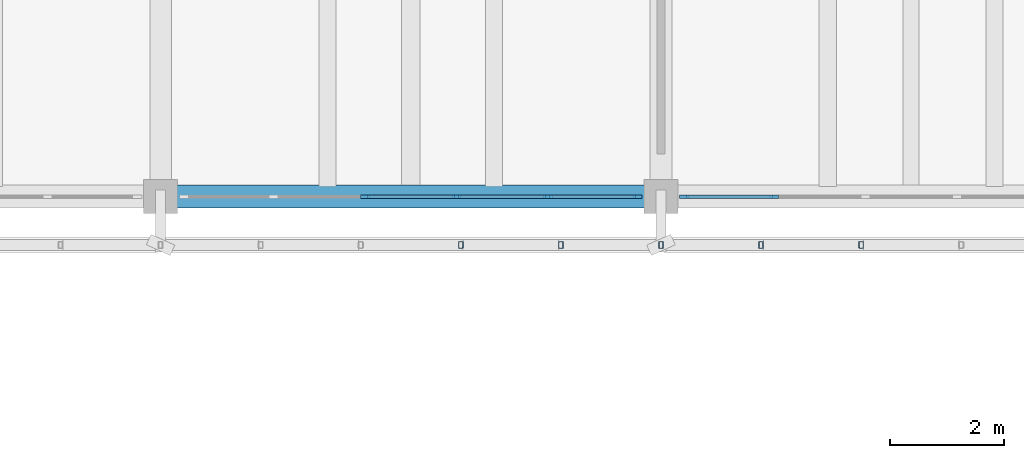
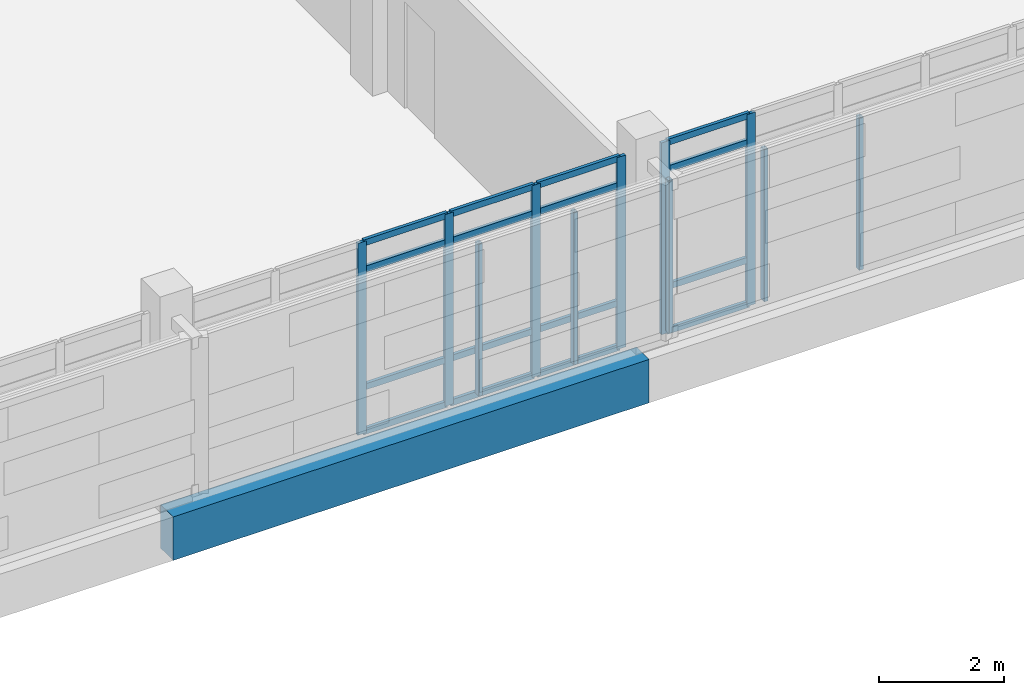
# One storey, part 56 of 137: 27 members, 1 beam, 2 elements without a shape of their own.
"""IFC4 building model written with IfcOpenShell, lengths in metres."""

from ifc_helpers import new_model, si_unit, direction, frame, origin, origin_2d, place, context, subcontext, project, spatial, rectangle, hollow_rectangle, extrude, material, material_profile, profile_set, type_object, element, aggregate, save


model = new_model("IFC4")

# Units and contexts
model_context = context("Model", 3, precision=1e-05, world=origin(), true_north=direction((0.0, 1.0)))
body_context = subcontext(model_context, "Body", "Model", "MODEL_VIEW")
ifc_project = project(units=[si_unit("LENGTHUNIT", "METRE"), si_unit("AREAUNIT", "SQUARE_METRE"), si_unit("VOLUMEUNIT", "CUBIC_METRE"), si_unit("PLANEANGLEUNIT", "RADIAN"), si_unit("MASSUNIT", "GRAM", prefix="KILO")], contexts=[model_context])

# Site, building, storey
site_placement = place(None, origin())
site = spatial("IfcSite", under=ifc_project, at=site_placement, CompositionType="ELEMENT")
building_placement = place(site_placement, origin())
building = spatial("IfcBuilding", under=site, at=building_placement, Name="Cinderway Yard Community Centre", CompositionType="ELEMENT")
storey_placement = place(building_placement, frame((0.0, 0.0, 4.800048828125)))
storey = spatial("IfcBuildingStorey", under=building, at=storey_placement, Name="L01", CompositionType="ELEMENT", Elevation=4.800048828125)

# Curtain wall, members
ifc_material_1 = material(Name="Aluminium 6063-T6", Category="aluminium")
curtain_wall_type = type_object("IfcCurtainWallType", Name="ENV-CW-TYPE-27", PredefinedType="USERDEFINED", material=ifc_material_1)
curtain_wall_1_placement = place(storey_placement, origin())
curtain_wall_1 = element("IfcCurtainWall", 1, at=curtain_wall_1_placement, inside=storey, type_object=curtain_wall_type, Name="V4 Courtyard Curtain Wall ENV-CW-L01-ST-0130", ObjectType="GLAZED CURTAIN WALL", PredefinedType="USERDEFINED")
ifc_material_profile_1 = material_profile(ifc_material_1, rectangle(XDim=0.06005859375, YDim=0.159912109375, at=origin_2d()), Name="Aluminium 6063-T6")
ifc_profile_set_1 = profile_set([ifc_material_profile_1], Name="Aluminium 6063-T6")
member_type_1 = type_object("IfcMemberType", Name="ENV-CW-MULL-150", PredefinedType="MULLION", material=ifc_profile_set_1)
member_1_placement = place(storey_placement, frame((87.595947265625, 90.0, 0.0), z_axis=(0.0, 0.0, 1.0), x_axis=(0.0, 1.0, 0.0)))
member_1 = element("IfcMember", 2, at=member_1_placement, type_object=member_type_1, Name="CW-27 mullion 3", PredefinedType="MULLION", context=body_context, shape_type="SweptSolid", body=[
    extrude(rectangle(XDim=0.06005859375, YDim=0.159912109375, at=origin_2d()), origin(), (0.0, 0.0, 1.0), 3.75),
])
member_2_placement = place(storey_placement, frame((89.2041015625, 90.0, 0.0), z_axis=(0.0, 0.0, 1.0), x_axis=(0.0, 1.0, 0.0)))
member_2 = element("IfcMember", 3, at=member_2_placement, type_object=member_type_1, Name="CW-27 mullion 4", PredefinedType="MULLION", context=body_context, shape_type="SweptSolid", body=[
    extrude(rectangle(XDim=0.06005859375, YDim=0.159912109375, at=origin_2d()), origin(), (0.0, 0.0, 1.0), 3.75),
])
member_3_placement = place(storey_placement, frame((90.81201171875, 90.0, 0.0), z_axis=(0.0, 0.0, 1.0), x_axis=(0.0, 1.0, 0.0)))
member_3 = element("IfcMember", 4, at=member_3_placement, type_object=member_type_1, Name="CW-27 mullion 5", PredefinedType="MULLION", context=body_context, shape_type="SweptSolid", body=[
    extrude(rectangle(XDim=0.06005859375, YDim=0.159912109375, at=origin_2d()), origin(), (0.0, 0.0, 1.0), 3.75),
])
member_4_placement = place(storey_placement, frame((92.389892578125, 90.0, 0.0), z_axis=(0.0, 0.0, 1.0), x_axis=(0.0, 1.0, 0.0)))
member_4 = element("IfcMember", 5, at=member_4_placement, type_object=member_type_1, Name="CW-27 mullion 6", PredefinedType="MULLION", context=body_context, shape_type="SweptSolid", body=[
    extrude(rectangle(XDim=0.06005859375, YDim=0.159912109375, at=origin_2d()), origin(), (0.0, 0.0, 1.0), 3.75),
])

curtain_wall_2_placement = place(storey_placement, origin())
curtain_wall_2 = element("IfcCurtainWall", 6, at=curtain_wall_2_placement, inside=storey, type_object=curtain_wall_type, Name="V4 Courtyard Curtain Wall ENV-CW-L01-ST-0131", ObjectType="GLAZED CURTAIN WALL", PredefinedType="USERDEFINED")
member_5_placement = place(storey_placement, frame((93.2099609375, 90.0, 0.0), z_axis=(0.0, 0.0, 1.0), x_axis=(0.0, 1.0, 0.0)))
member_5 = element("IfcMember", 7, at=member_5_placement, type_object=member_type_1, Name="CW-27 mullion 1", PredefinedType="MULLION", context=body_context, shape_type="SweptSolid", body=[
    extrude(rectangle(XDim=0.06005859375, YDim=0.159912109375, at=origin_2d()), origin(), (0.0, 0.0, 1.0), 3.75),
])
member_6_placement = place(storey_placement, frame((94.7880859375, 90.0, 0.0), z_axis=(0.0, 0.0, 1.0), x_axis=(0.0, 1.0, 0.0)))
member_6 = element("IfcMember", 8, at=member_6_placement, type_object=member_type_1, Name="CW-27 mullion 2", PredefinedType="MULLION", context=body_context, shape_type="SweptSolid", body=[
    extrude(rectangle(XDim=0.06005859375, YDim=0.159912109375, at=origin_2d()), origin(), (0.0, 0.0, 1.0), 3.75),
])

# Member
ifc_material_profile_2 = material_profile(ifc_material_1, rectangle(XDim=0.06005859375, YDim=0.1201171875, at=origin_2d()), Name="Aluminium 6063-T6")
ifc_profile_set_2 = profile_set([ifc_material_profile_2], Name="Aluminium 6063-T6")
member_type_2 = type_object("IfcMemberType", Name="ENV-CW-TRAN-110", PredefinedType="USERDEFINED", material=ifc_profile_set_2)
member_7_placement = place(storey_placement, frame((87.6259765625, 90.0, 0.030029296875), z_axis=(1.0, 0.0, 0.0), x_axis=(0.0, 1.0, 0.0)))
member_7 = element("IfcMember", 9, at=member_7_placement, type_object=member_type_2, Name="CW-27 transom 3.1", ObjectType="TRANSOM", PredefinedType="USERDEFINED", context=body_context, shape_type="SweptSolid", body=[
    extrude(rectangle(XDim=0.06005859375, YDim=0.1201171875, at=origin_2d()), origin(), (0.0, 0.0, 1.0), 1.548095703125),
])

member_8_placement = place(storey_placement, frame((87.6259765625, 90.0, 0.89990234375), z_axis=(1.0, 0.0, 0.0), x_axis=(0.0, 1.0, 0.0)))
member_8 = element("IfcMember", 10, at=member_8_placement, type_object=member_type_2, Name="CW-27 transom 3.2", ObjectType="TRANSOM", PredefinedType="USERDEFINED", context=body_context, shape_type="SweptSolid", body=[
    extrude(rectangle(XDim=0.06005859375, YDim=0.1201171875, at=origin_2d()), origin(), (0.0, 0.0, 1.0), 1.548095703125),
])

member_9_placement = place(storey_placement, frame((87.6259765625, 90.0, 3.199951171875), z_axis=(1.0, 0.0, 0.0), x_axis=(0.0, 1.0, 0.0)))
member_9 = element("IfcMember", 11, at=member_9_placement, type_object=member_type_2, Name="CW-27 transom 3.3", ObjectType="TRANSOM", PredefinedType="USERDEFINED", context=body_context, shape_type="SweptSolid", body=[
    extrude(rectangle(XDim=0.06005859375, YDim=0.1201171875, at=origin_2d()), origin(), (0.0, 0.0, 1.0), 1.548095703125),
])

member_10_placement = place(storey_placement, frame((87.6259765625, 90.0, 3.719970703125), z_axis=(1.0, 0.0, 0.0), x_axis=(0.0, 1.0, 0.0)))
member_10 = element("IfcMember", 12, at=member_10_placement, type_object=member_type_2, Name="CW-27 transom 3.4", ObjectType="TRANSOM", PredefinedType="USERDEFINED", context=body_context, shape_type="SweptSolid", body=[
    extrude(rectangle(XDim=0.06005859375, YDim=0.1201171875, at=origin_2d()), origin(), (0.0, 0.0, 1.0), 1.548095703125),
])

member_11_placement = place(storey_placement, frame((89.23388671875, 90.0, 0.030029296875), z_axis=(1.0, 0.0, 0.0), x_axis=(0.0, 1.0, 0.0)))
member_11 = element("IfcMember", 13, at=member_11_placement, type_object=member_type_2, Name="CW-27 transom 4.1", ObjectType="TRANSOM", PredefinedType="USERDEFINED", context=body_context, shape_type="SweptSolid", body=[
    extrude(rectangle(XDim=0.06005859375, YDim=0.1201171875, at=origin_2d()), origin(), (0.0, 0.0, 1.0), 1.548095703125),
])

member_12_placement = place(storey_placement, frame((89.23388671875, 90.0, 0.89990234375), z_axis=(1.0, 0.0, 0.0), x_axis=(0.0, 1.0, 0.0)))
member_12 = element("IfcMember", 14, at=member_12_placement, type_object=member_type_2, Name="CW-27 transom 4.2", ObjectType="TRANSOM", PredefinedType="USERDEFINED", context=body_context, shape_type="SweptSolid", body=[
    extrude(rectangle(XDim=0.06005859375, YDim=0.1201171875, at=origin_2d()), origin(), (0.0, 0.0, 1.0), 1.548095703125),
])

member_13_placement = place(storey_placement, frame((89.23388671875, 90.0, 3.199951171875), z_axis=(1.0, 0.0, 0.0), x_axis=(0.0, 1.0, 0.0)))
member_13 = element("IfcMember", 15, at=member_13_placement, type_object=member_type_2, Name="CW-27 transom 4.3", ObjectType="TRANSOM", PredefinedType="USERDEFINED", context=body_context, shape_type="SweptSolid", body=[
    extrude(rectangle(XDim=0.06005859375, YDim=0.1201171875, at=origin_2d()), origin(), (0.0, 0.0, 1.0), 1.548095703125),
])

member_14_placement = place(storey_placement, frame((89.23388671875, 90.0, 3.719970703125), z_axis=(1.0, 0.0, 0.0), x_axis=(0.0, 1.0, 0.0)))
member_14 = element("IfcMember", 16, at=member_14_placement, type_object=member_type_2, Name="CW-27 transom 4.4", ObjectType="TRANSOM", PredefinedType="USERDEFINED", context=body_context, shape_type="SweptSolid", body=[
    extrude(rectangle(XDim=0.06005859375, YDim=0.1201171875, at=origin_2d()), origin(), (0.0, 0.0, 1.0), 1.548095703125),
])

member_15_placement = place(storey_placement, frame((90.842041015625, 90.0, 0.030029296875), z_axis=(1.0, 0.0, 0.0), x_axis=(0.0, 1.0, 0.0)))
member_15 = element("IfcMember", 17, at=member_15_placement, type_object=member_type_2, Name="CW-27 transom 5.1", ObjectType="TRANSOM", PredefinedType="USERDEFINED", context=body_context, shape_type="SweptSolid", body=[
    extrude(rectangle(XDim=0.06005859375, YDim=0.1201171875, at=origin_2d()), origin(), (0.0, 0.0, 1.0), 1.51806640625),
])

member_16_placement = place(storey_placement, frame((90.842041015625, 90.0, 0.89990234375), z_axis=(1.0, 0.0, 0.0), x_axis=(0.0, 1.0, 0.0)))
member_16 = element("IfcMember", 18, at=member_16_placement, type_object=member_type_2, Name="CW-27 transom 5.2", ObjectType="TRANSOM", PredefinedType="USERDEFINED", context=body_context, shape_type="SweptSolid", body=[
    extrude(rectangle(XDim=0.06005859375, YDim=0.1201171875, at=origin_2d()), origin(), (0.0, 0.0, 1.0), 1.51806640625),
])

member_17_placement = place(storey_placement, frame((90.842041015625, 90.0, 3.199951171875), z_axis=(1.0, 0.0, 0.0), x_axis=(0.0, 1.0, 0.0)))
member_17 = element("IfcMember", 19, at=member_17_placement, type_object=member_type_2, Name="CW-27 transom 5.3", ObjectType="TRANSOM", PredefinedType="USERDEFINED", context=body_context, shape_type="SweptSolid", body=[
    extrude(rectangle(XDim=0.06005859375, YDim=0.1201171875, at=origin_2d()), origin(), (0.0, 0.0, 1.0), 1.51806640625),
])

member_18_placement = place(storey_placement, frame((90.842041015625, 90.0, 3.719970703125), z_axis=(1.0, 0.0, 0.0), x_axis=(0.0, 1.0, 0.0)))
member_18 = element("IfcMember", 20, at=member_18_placement, type_object=member_type_2, Name="CW-27 transom 5.4", ObjectType="TRANSOM", PredefinedType="USERDEFINED", context=body_context, shape_type="SweptSolid", body=[
    extrude(rectangle(XDim=0.06005859375, YDim=0.1201171875, at=origin_2d()), origin(), (0.0, 0.0, 1.0), 1.51806640625),
])

aggregate(curtain_wall_1, [member_1, member_2, member_3, member_4, member_7, member_8, member_9, member_10, member_11, member_12, member_13, member_14, member_15, member_16, member_17, member_18])

member_19_placement = place(storey_placement, frame((93.239990234375, 90.0, 0.030029296875), z_axis=(1.0, 0.0, 0.0), x_axis=(0.0, 1.0, 0.0)))
member_19 = element("IfcMember", 21, at=member_19_placement, type_object=member_type_2, Name="CW-27 transom 1.1", ObjectType="TRANSOM", PredefinedType="USERDEFINED", context=body_context, shape_type="SweptSolid", body=[
    extrude(rectangle(XDim=0.06005859375, YDim=0.1201171875, at=origin_2d()), origin(), (0.0, 0.0, 1.0), 1.51806640625),
])

member_20_placement = place(storey_placement, frame((93.239990234375, 90.0, 0.89990234375), z_axis=(1.0, 0.0, 0.0), x_axis=(0.0, 1.0, 0.0)))
member_20 = element("IfcMember", 22, at=member_20_placement, type_object=member_type_2, Name="CW-27 transom 1.2", ObjectType="TRANSOM", PredefinedType="USERDEFINED", context=body_context, shape_type="SweptSolid", body=[
    extrude(rectangle(XDim=0.06005859375, YDim=0.1201171875, at=origin_2d()), origin(), (0.0, 0.0, 1.0), 1.51806640625),
])

member_21_placement = place(storey_placement, frame((93.239990234375, 90.0, 3.199951171875), z_axis=(1.0, 0.0, 0.0), x_axis=(0.0, 1.0, 0.0)))
member_21 = element("IfcMember", 23, at=member_21_placement, type_object=member_type_2, Name="CW-27 transom 1.3", ObjectType="TRANSOM", PredefinedType="USERDEFINED", context=body_context, shape_type="SweptSolid", body=[
    extrude(rectangle(XDim=0.06005859375, YDim=0.1201171875, at=origin_2d()), origin(), (0.0, 0.0, 1.0), 1.51806640625),
])

member_22_placement = place(storey_placement, frame((93.239990234375, 90.0, 3.719970703125), z_axis=(1.0, 0.0, 0.0), x_axis=(0.0, 1.0, 0.0)))
member_22 = element("IfcMember", 24, at=member_22_placement, type_object=member_type_2, Name="CW-27 transom 1.4", ObjectType="TRANSOM", PredefinedType="USERDEFINED", context=body_context, shape_type="SweptSolid", body=[
    extrude(rectangle(XDim=0.06005859375, YDim=0.1201171875, at=origin_2d()), origin(), (0.0, 0.0, 1.0), 1.51806640625),
])

aggregate(curtain_wall_2, [member_5, member_6, member_19, member_20, member_21, member_22])

# Members
ifc_material_2 = material(Name="Steel S355", Category="steel")
ifc_material_profile_3 = material_profile(ifc_material_2, hollow_rectangle(XDim=0.080078125, YDim=0.1201171875, WallThickness=0.00634765625, InnerFilletRadius=0.00634765625, OuterFilletRadius=0.0126953125, at=origin_2d()), Name="Steel S355")
ifc_profile_set_3 = profile_set([ifc_material_profile_3], Name="Steel S355")
member_type_3 = type_object("IfcMemberType", Name="ENV-MEM-SCREEN-RAIL-120", PredefinedType="STRINGER", material=ifc_profile_set_3)
for number, where, z_axis, x_axis, name in (
    (25, (89.280029296875, 89.14990234375, 0.68994140625), (0.0, 0.0, 1.0), (1.0, 0.0, 0.0), "Screen vertical mullion 0362"),
    (26, (91.0400390625, 89.14990234375, 0.68994140625), (0.0, 0.0, 1.0), (1.0, 0.0, 0.0), "Screen vertical mullion 0363"),
    (27, (92.800048828125, 89.14990234375, 0.68994140625), (0.0, 0.0, 1.0), (1.0, 0.0, 0.0), "Screen vertical mullion 0364"),
    (28, (94.56005859375, 89.14990234375, 0.68994140625), (0.0, 0.0, 1.0), (1.0, 0.0, 0.0), "Screen vertical mullion 0368"),
    (29, (96.320068359375, 89.14990234375, 0.68994140625), (0.0, 0.0, 1.0), (1.0, 0.0, 0.0), "Screen vertical mullion 0369"),
):
    element("IfcMember", number, at=place(storey_placement, frame(where, z_axis=z_axis, x_axis=x_axis)), inside=storey, type_object=member_type_3, Name=name, PredefinedType="STRINGER", context=body_context, shape_type="SweptSolid", body=[
        extrude(hollow_rectangle(XDim=0.080078125, YDim=0.1201171875, WallThickness=0.00634765625, InnerFilletRadius=0.00634765625, OuterFilletRadius=0.0126953125, at=origin_2d()), origin(), (0.0, 0.0, 1.0), 2.969970703125),
    ])

# Beam
ifc_material_3 = material(Name="Concrete C40/50", Category="concrete")
ifc_material_profile_4 = material_profile(ifc_material_3, rectangle(XDim=0.39990234375, YDim=0.85009765625, at=origin_2d()), Name="Concrete C40/50")
ifc_profile_set_4 = profile_set([ifc_material_profile_4], Name="Concrete C40/50")
beam_type = type_object("IfcBeamType", Name="STR-BM-RC400X850", PredefinedType="BEAM", material=ifc_profile_set_4)
beam_placement = place(storey_placement, frame((84.0, 90.0, -0.68505859375), z_axis=(1.0, 0.0, 0.0), x_axis=(0.0, 1.0, 0.0)))
element("IfcBeam", 30, at=beam_placement, inside=storey, type_object=beam_type, Name="Primary girder STR-BM-L01-BG04-0177", PredefinedType="BEAM", context=body_context, shape_type="SweptSolid", body=[
    extrude(rectangle(XDim=0.39990234375, YDim=0.85009765625, at=origin_2d()), origin(), (0.0, 0.0, 1.0), 8.800048828125),
])

save(model, "model.ifc")
